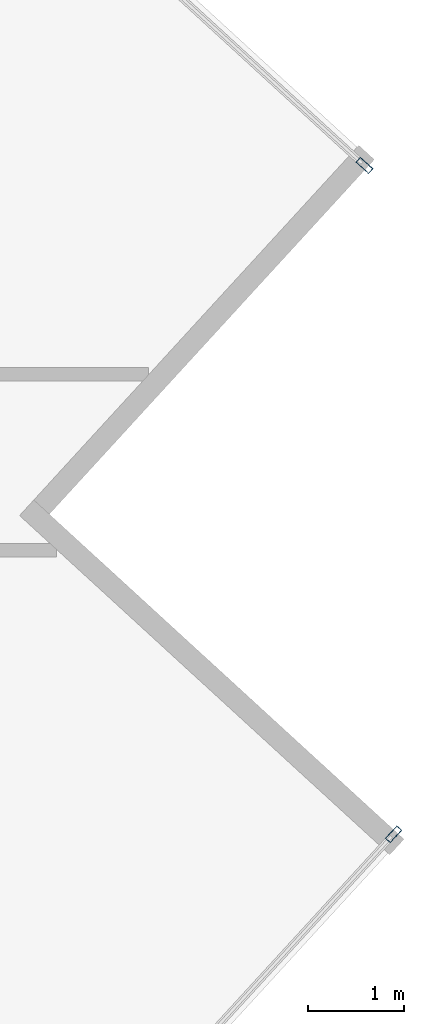
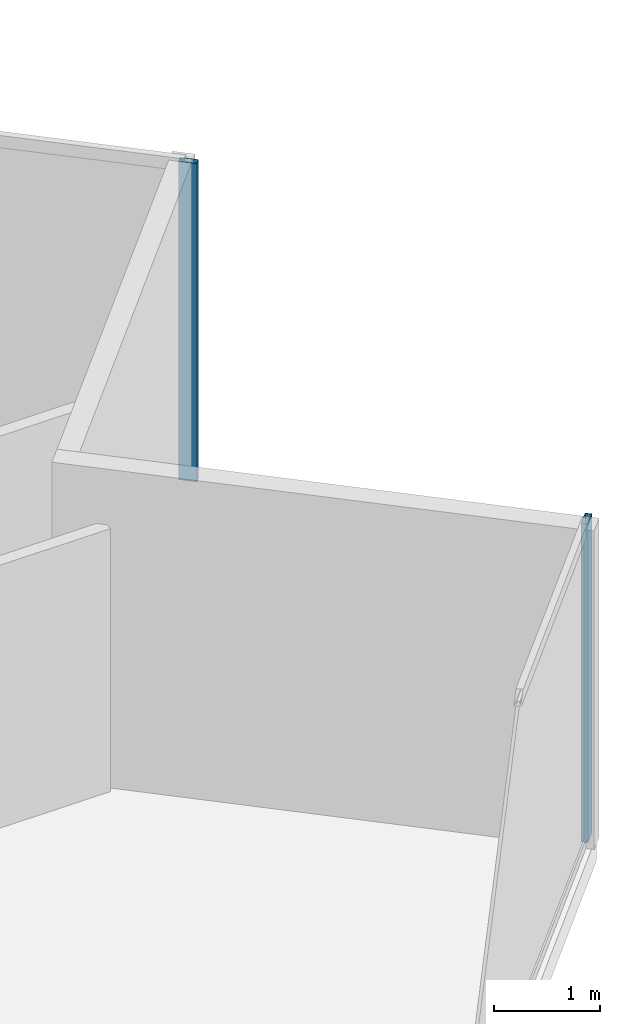
# One storey, part 13 of 26: 2 members, 2 elements without a shape of their own.
"""IFC4 building model written with IfcOpenShell, lengths in metres."""

from ifc_helpers import new_model, si_unit, direction, frame, origin, origin_2d, place, context, subcontext, project, spatial, hollow_rectangle, extrude, source, transform, mapped, material, material_profile, profile_set, type_object, type_shapes, element, aggregate, save


model = new_model("IFC4")

# Units and contexts
model_context = context("Model", 3, precision=1e-05, world=origin(), true_north=direction((0.0, 1.0)))
body_context = subcontext(model_context, "Body", "Model", "MODEL_VIEW")
ifc_project = project(units=[si_unit("LENGTHUNIT", "METRE"), si_unit("AREAUNIT", "SQUARE_METRE"), si_unit("VOLUMEUNIT", "CUBIC_METRE"), si_unit("PLANEANGLEUNIT", "RADIAN"), si_unit("MASSUNIT", "GRAM", prefix="KILO")], contexts=[model_context])

# Site, building, storey
site_placement = place(None, origin())
site = spatial("IfcSite", under=ifc_project, at=site_placement, CompositionType="ELEMENT")
building_placement = place(site_placement, origin())
building = spatial("IfcBuilding", under=site, at=building_placement, Name="Krantzveldt Concourse Tower", CompositionType="ELEMENT")
storey_placement = place(building_placement, frame((0.0, 0.0, 227.050048828125)))
storey = spatial("IfcBuildingStorey", under=building, at=storey_placement, Name="L55", CompositionType="ELEMENT", Elevation=227.050048828125)

# Curtain wall, member
ifc_material = material(Name="Anodised aluminium 6063-T6", Category="aluminium")
curtain_wall_type = type_object("IfcCurtainWallType", Name="CW3", PredefinedType="USERDEFINED", material=ifc_material)
curtain_wall_1_placement = place(storey_placement, origin())
curtain_wall_1 = element("IfcCurtainWall", 1, at=curtain_wall_1_placement, inside=storey, type_object=curtain_wall_type, Name="CW-L55-F11", ObjectType="UNITISED CURTAIN WALL", PredefinedType="USERDEFINED")
ifc_material_profile = material_profile(ifc_material, hollow_rectangle(XDim=0.070068359375, YDim=0.179931640625, WallThickness=0.0048828125, at=origin_2d()), Name="Anodised aluminium 6063-T6", Category="aluminium")
ifc_profile_set = profile_set([ifc_material_profile], Name="Anodised aluminium 6063-T6 - ALU-MULL 180x70x5")
member_type = type_object("IfcMemberType", Name="CW-MUL-180", PredefinedType="MULLION", material=ifc_profile_set)
shared_shape = source(origin(), body_context, "Body", "SweptSolid", [
    extrude(hollow_rectangle(XDim=0.070068359375, YDim=0.179931640625, WallThickness=0.0048828125, at=origin_2d()), origin(), (0.0, 0.0, 1.0), 3.669921875),
])
type_shapes(member_type, [shared_shape])
member_1_placement = place(storey_placement, frame((61.495849609375, 24.313232421875, 0.0), z_axis=(0.0, 0.0, 1.0), x_axis=(-0.737277769208, 0.675589735736, 0.0)))
member_1 = element("IfcMember", 2, at=member_1_placement, type_object=member_type, Name="CW-Z34 mullion 3", PredefinedType="MULLION", context=body_context, shape_type="MappedRepresentation", body=[
    mapped(shared_shape, transform((0.0, 0.0, 0.0), x_axis=(1.0, 0.0, 0.0), y_axis=(0.0, 1.0, 0.0), z_axis=(0.0, 0.0, 1.0), scale=1.0)),
])
aggregate(curtain_wall_1, [member_1])

curtain_wall_2_placement = place(storey_placement, origin())
curtain_wall_2 = element("IfcCurtainWall", 3, at=curtain_wall_2_placement, inside=storey, type_object=curtain_wall_type, Name="CW-L55-F14", ObjectType="UNITISED CURTAIN WALL", PredefinedType="USERDEFINED")
member_2_placement = place(storey_placement, frame((61.190673828125, 31.2998046875, 0.0), z_axis=(0.0, 0.0, 1.0), x_axis=(-0.675590053651, -0.737277477893, 0.0)))
member_2 = element("IfcMember", 4, at=member_2_placement, type_object=member_type, Name="CW-Z34 mullion 1", PredefinedType="MULLION", context=body_context, shape_type="MappedRepresentation", body=[
    mapped(shared_shape, transform((0.0, 0.0, 0.0), x_axis=(1.0, 0.0, 0.0), y_axis=(0.0, 1.0, 0.0), z_axis=(0.0, 0.0, 1.0), scale=1.0)),
])
aggregate(curtain_wall_2, [member_2])

save(model, "model.ifc")
